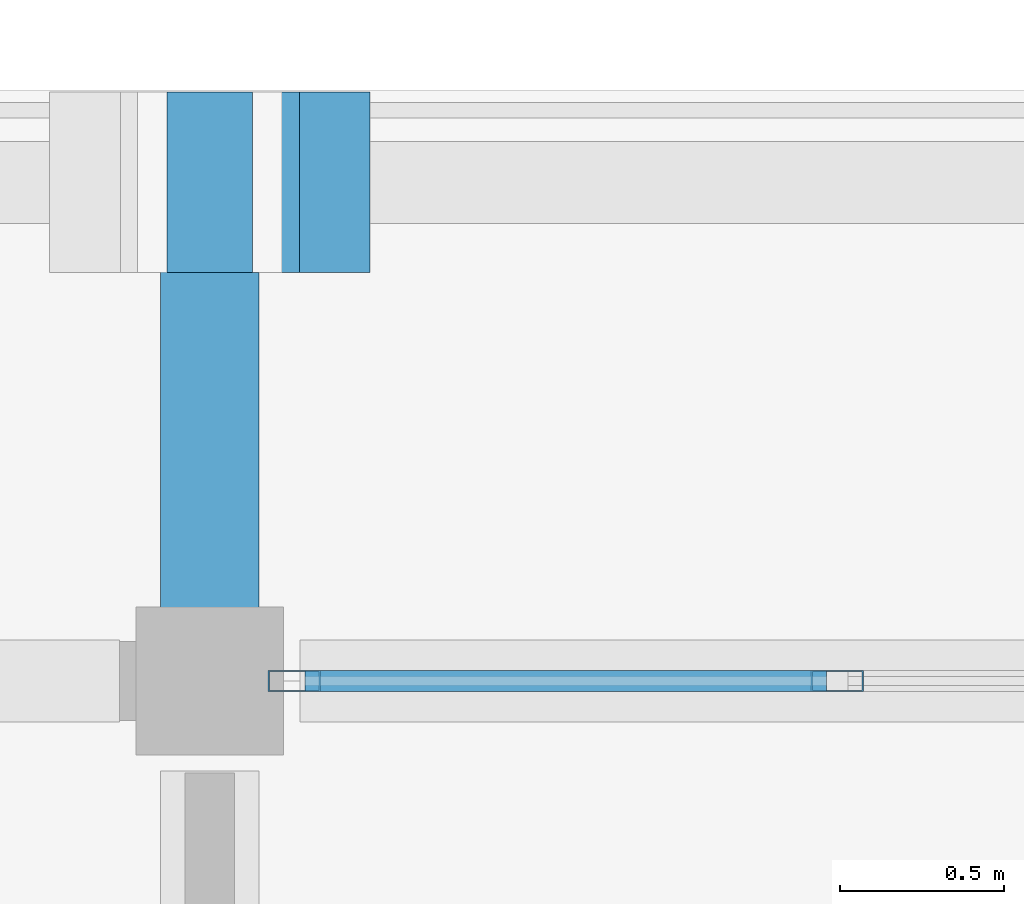
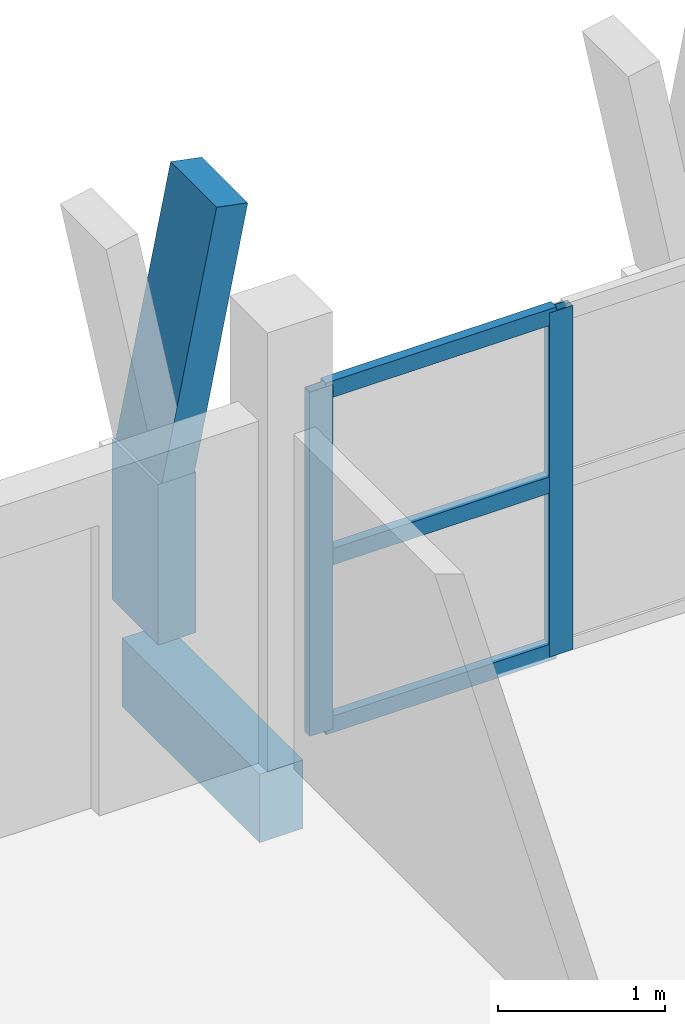
# One storey, part 17 of 56: 7 members, 1 beam, 1 element without a shape of its own.
"""IFC4 building model written with IfcOpenShell, lengths in metres."""

from ifc_helpers import new_model, si_unit, direction, frame, origin, origin_2d, place, context, subcontext, project, spatial, rectangle, hollow_rectangle, extrude, material, material_profile, profile_set, type_object, element, aggregate, save


model = new_model("IFC4")

# Units and contexts
model_context = context("Model", 3, precision=1e-05, world=origin(), true_north=direction((0.0, 1.0)))
body_context = subcontext(model_context, "Body", "Model", "MODEL_VIEW")
ifc_project = project(units=[si_unit("LENGTHUNIT", "METRE"), si_unit("AREAUNIT", "SQUARE_METRE"), si_unit("VOLUMEUNIT", "CUBIC_METRE"), si_unit("PLANEANGLEUNIT", "RADIAN"), si_unit("MASSUNIT", "GRAM", prefix="KILO")], contexts=[model_context])

# Site, building, storey
site_placement = place(None, origin())
site = spatial("IfcSite", under=ifc_project, at=site_placement, CompositionType="ELEMENT")
building_placement = place(site_placement, origin())
building = spatial("IfcBuilding", under=site, at=building_placement, Name="Suanplinth Sawtooth Commons", CompositionType="ELEMENT")
storey_placement = place(building_placement, frame((0.0, 0.0, 34.800048828125)))
storey = spatial("IfcBuildingStorey", under=building, at=storey_placement, Name="L10", CompositionType="ELEMENT", Elevation=34.800048828125)

# Beam
ifc_material_1 = material(Name="Precast concrete C40/50", Category="concrete")
ifc_material_profile_1 = material_profile(ifc_material_1, rectangle(XDim=0.300048828125, YDim=0.5, at=origin_2d()), Name="PC-BM 300x500")
ifc_profile_set_1 = profile_set([ifc_material_profile_1], Name="Precast concrete C40/50")
beam_type = type_object("IfcBeamType", Name="B-07", PredefinedType="BEAM", material=ifc_profile_set_1)
beam_placement = place(storey_placement, frame((144.0, 122.39990234375, -0.429931640625), z_axis=(0.0, 1.0, 0.0), x_axis=(-1.0, 0.0, 0.0)))
element("IfcBeam", 1, at=beam_placement, inside=storey, type_object=beam_type, Name="Balcony Outrigger L10-B-N-20", PredefinedType="BEAM", context=body_context, shape_type="SweptSolid", body=[
    extrude(rectangle(XDim=0.300048828125, YDim=0.5, at=origin_2d()), origin(), (0.0, 0.0, 1.0), 1.64013671875),
])

# Members
ifc_material_2 = material(Name="Pigmented precast concrete C40/50", Category="concrete")
ifc_material_profile_2 = material_profile(ifc_material_2, rectangle(XDim=0.260009765625, YDim=0.550048828125, at=origin_2d()), Name="PC-FIN 260x550")
ifc_profile_set_2 = profile_set([ifc_material_profile_2], Name="Pigmented precast concrete C40/50")
member_type_1 = type_object("IfcMemberType", Name="M-09", PredefinedType="USERDEFINED", material=ifc_profile_set_2)
member_1_placement = place(storey_placement, frame((144.0, 123.919921875, 0.0), z_axis=(0.0, 0.0, 1.0), x_axis=(1.0, 0.0, 0.0)))
element("IfcMember", 2, at=member_1_placement, inside=storey, type_object=member_type_1, Name="Y-Blade Stem L10-B-N-02", ObjectType="SHADING FIN", PredefinedType="USERDEFINED", context=body_context, shape_type="SweptSolid", body=[
    extrude(rectangle(XDim=0.260009765625, YDim=0.550048828125, at=origin_2d()), origin(), (0.0, 0.0, 1.0), 1.169921875),
])
ifc_material_profile_3 = material_profile(ifc_material_2, rectangle(XDim=0.219970703125, YDim=0.550048828125, at=origin_2d()), Name="PC-FIN 220x550")
ifc_profile_set_3 = profile_set([ifc_material_profile_3], Name="Pigmented precast concrete C40/50")
member_type_2 = type_object("IfcMemberType", Name="M-10", PredefinedType="USERDEFINED", material=ifc_profile_set_3)
member_2_placement = place(storey_placement, frame((144.0, 123.919921875, 1.1298828125), z_axis=(0.196406855569, 0.0, 0.980522486782), x_axis=(-0.980522486782, 0.0, 0.196406855569)))
element("IfcMember", 3, at=member_2_placement, inside=storey, type_object=member_type_2, Name="Y-Blade Arm R L10-B-N-02", ObjectType="SHADING FIN", PredefinedType="USERDEFINED", context=body_context, shape_type="SweptSolid", body=[
    extrude(rectangle(XDim=0.219970703125, YDim=0.550048828125, at=origin_2d()), origin(), (0.0, 0.0, 1.0), 1.93798828125),
])

# Curtain wall, members
ifc_material_3 = material(Name="Anodized aluminium and low-E glazing", Category="aluminium")
curtain_wall_type = type_object("IfcCurtainWallType", Name="CW-06", PredefinedType="USERDEFINED", material=ifc_material_3)
curtain_wall_placement = place(storey_placement, origin())
curtain_wall = element("IfcCurtainWall", 4, at=curtain_wall_placement, inside=storey, type_object=curtain_wall_type, Name="Curtain Wall CW-L10-B-LOUNGE-20", ObjectType="CURTAIN WALL", PredefinedType="USERDEFINED")
ifc_material_4 = material(Name="Anodized aluminium 6063-T6", Category="aluminium")
ifc_material_profile_4 = material_profile(ifc_material_4, hollow_rectangle(XDim=0.06494140625, YDim=0.159912109375, WallThickness=0.00390625, at=origin_2d()), Name="ALU-MUL 65x160")
ifc_profile_set_4 = profile_set([ifc_material_profile_4], Name="Anodized aluminium 6063-T6")
member_type_3 = type_object("IfcMemberType", Name="M-13", PredefinedType="MULLION", material=ifc_profile_set_4)
member_3_placement = place(storey_placement, frame((144.257568359375, 122.39990234375, 0.0), z_axis=(0.0, 0.0, 1.0), x_axis=(0.0, 1.0, 0.0)))
member_3 = element("IfcMember", 5, at=member_3_placement, type_object=member_type_3, Name="CW-06 mullion 1", PredefinedType="MULLION", context=body_context, shape_type="SweptSolid", body=[
    extrude(hollow_rectangle(XDim=0.06494140625, YDim=0.159912109375, WallThickness=0.00390625, at=origin_2d()), origin(), (0.0, 0.0, 1.0), 2.510009765625),
])
member_4_placement = place(storey_placement, frame((145.91259765625, 122.39990234375, 0.0), z_axis=(0.0, 0.0, 1.0), x_axis=(0.0, 1.0, 0.0)))
member_4 = element("IfcMember", 6, at=member_4_placement, type_object=member_type_3, Name="CW-06 mullion 2", PredefinedType="MULLION", context=body_context, shape_type="SweptSolid", body=[
    extrude(hollow_rectangle(XDim=0.06494140625, YDim=0.159912109375, WallThickness=0.00390625, at=origin_2d()), origin(), (0.0, 0.0, 1.0), 2.510009765625),
])
ifc_material_profile_5 = material_profile(ifc_material_4, hollow_rectangle(XDim=0.06494140625, YDim=0.1201171875, WallThickness=0.00390625, at=origin_2d()), Name="ALU-TRN 65x120")
ifc_profile_set_5 = profile_set([ifc_material_profile_5], Name="Anodized aluminium 6063-T6")
member_type_4 = type_object("IfcMemberType", Name="M-15", PredefinedType="USERDEFINED", material=ifc_profile_set_5)
member_5_placement = place(storey_placement, frame((144.2900390625, 122.39990234375, 0.032470703125), z_axis=(1.0, 0.0, 0.0), x_axis=(0.0, 1.0, 0.0)))
member_5 = element("IfcMember", 7, at=member_5_placement, type_object=member_type_4, Name="CW-06 transom 1.1", ObjectType="TRANSOM", PredefinedType="USERDEFINED", context=body_context, shape_type="SweptSolid", body=[
    extrude(hollow_rectangle(XDim=0.06494140625, YDim=0.1201171875, WallThickness=0.00390625, at=origin_2d()), origin(), (0.0, 0.0, 1.0), 1.58984375),
])
member_6_placement = place(storey_placement, frame((144.2900390625, 122.39990234375, 1.2548828125), z_axis=(1.0, 0.0, 0.0), x_axis=(0.0, 1.0, 0.0)))
member_6 = element("IfcMember", 8, at=member_6_placement, type_object=member_type_4, Name="CW-06 transom 1.2", ObjectType="TRANSOM", PredefinedType="USERDEFINED", context=body_context, shape_type="SweptSolid", body=[
    extrude(hollow_rectangle(XDim=0.06494140625, YDim=0.1201171875, WallThickness=0.00390625, at=origin_2d()), origin(), (0.0, 0.0, 1.0), 1.58984375),
])
member_7_placement = place(storey_placement, frame((144.2900390625, 122.39990234375, 2.4775390625), z_axis=(1.0, 0.0, 0.0), x_axis=(0.0, 1.0, 0.0)))
member_7 = element("IfcMember", 9, at=member_7_placement, type_object=member_type_4, Name="CW-06 transom 1.3", ObjectType="TRANSOM", PredefinedType="USERDEFINED", context=body_context, shape_type="SweptSolid", body=[
    extrude(hollow_rectangle(XDim=0.06494140625, YDim=0.1201171875, WallThickness=0.00390625, at=origin_2d()), origin(), (0.0, 0.0, 1.0), 1.58984375),
])
aggregate(curtain_wall, [member_3, member_4, member_5, member_6, member_7])

save(model, "model.ifc")
